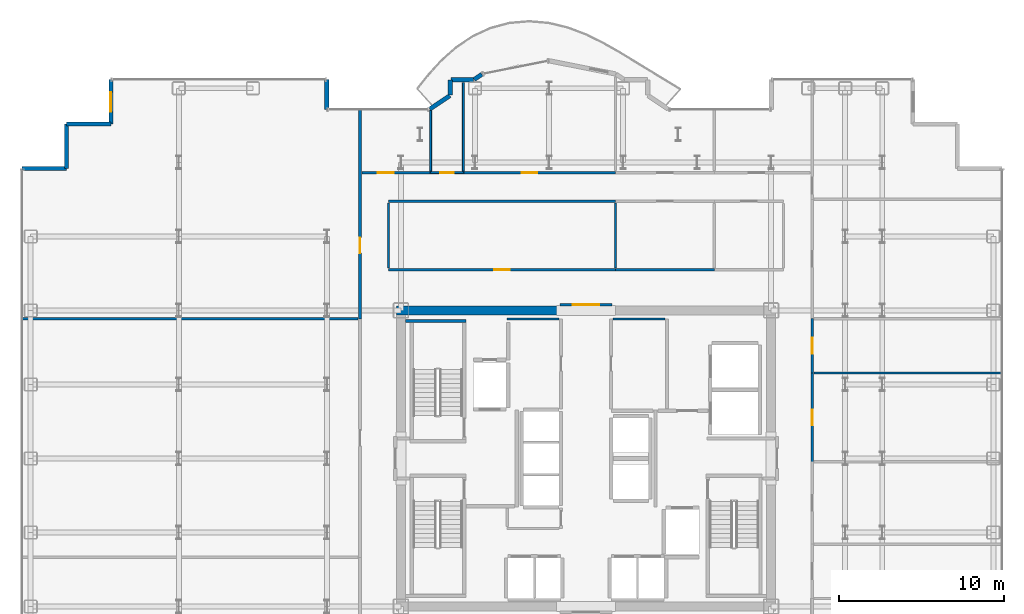
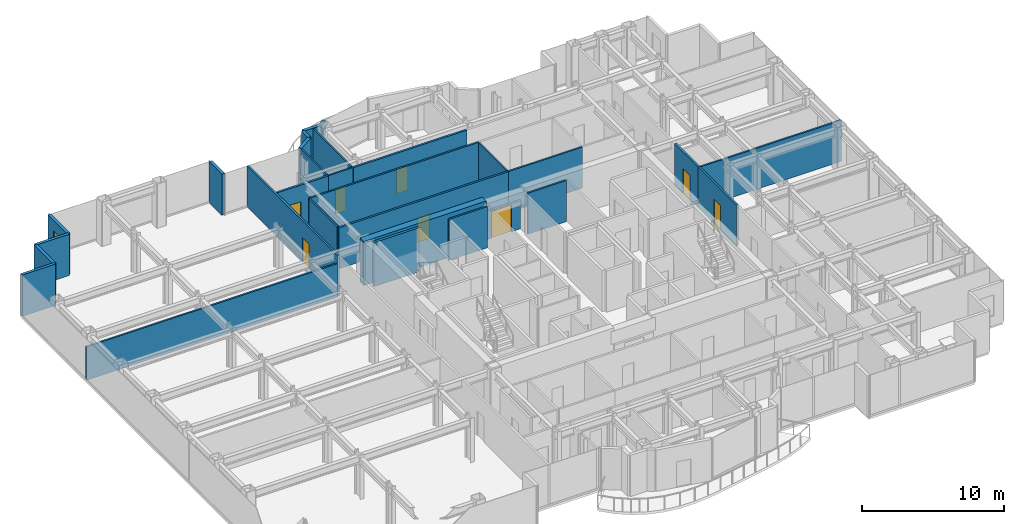
# One storey, part 19 of 22: 29 walls, 8 doors, 1 window, 9 openings.
"""IFC4 building model written with IfcOpenShell, lengths in metres."""

import ifcopenshell
import ifcopenshell.guid

model = None  # the IFC model being written
_history = None  # IfcOwnerHistory: only IFC2X3 demands one
_inside = {}  # id of a spatial element -> (the spatial element, [elements in it])
_under = {}  # id of a project, library or spatial element -> (it, [spatial elements below it])
_declared = {}  # id of a project -> (the project, [libraries it declares])
_typed = {}  # id of a type object -> (the type object, [elements of that type])
_made_of = {}  # id of a material, layer set ... -> (it, [elements and type objects made of it])


def new_model(schema):
    """Start an empty IFC model of exactly this schema.

    Asked for "IFC4X3", IfcOpenShell would pick the latest addendum, in which some entities
    have other attributes; the version numbers below select the first issue.
    IFC2X3 requires an IfcOwnerHistory on every rooted entity: one is made here for all.
    """
    global model, _history
    if schema == "IFC4X3":
        model = ifcopenshell.file(schema_version=(4, 3, 0, 0))
    else:
        model = ifcopenshell.file(schema=schema)
    _inside.clear()
    _under.clear()
    _declared.clear()
    _typed.clear()
    _made_of.clear()
    _history = None
    if model.schema == "IFC2X3":
        org = make("IfcOrganization", Name="unknown")
        user = make(
            "IfcPersonAndOrganization",
            ThePerson=make("IfcPerson", FamilyName="unknown"),
            TheOrganization=org,
        )
        app = make(
            "IfcApplication",
            ApplicationDeveloper=org,
            Version="unknown",
            ApplicationFullName="unknown",
            ApplicationIdentifier="unknown",
        )
        _history = make(
            "IfcOwnerHistory",
            OwningUser=user,
            OwningApplication=app,
            ChangeAction="ADDED",
            CreationDate=0,
        )
    return model


def make(cls, **values):
    """One entity of the class cls with the attributes given. An attribute that is None is left unset."""
    return model.create_entity(
        cls, **{name: value for name, value in values.items() if value is not None}
    )


def rooted(cls, **values):
    """An entity with a GlobalId (a new one), such as an element, a storey or a relation."""
    return make(cls, GlobalId=ifcopenshell.guid.new(), OwnerHistory=_history, **values)


def si_unit(unit_type, name, prefix=None):
    """IfcSIUnit, for example si_unit("LENGTHUNIT", "METRE", prefix="MILLI")."""
    return make("IfcSIUnit", UnitType=unit_type, Prefix=prefix, Name=name)


def assignment(units):
    """IfcUnitAssignment: the units of a project."""
    return None if units is None else make("IfcUnitAssignment", Units=units)


def point(xyz):
    """IfcCartesianPoint."""
    return None if xyz is None else make("IfcCartesianPoint", Coordinates=xyz)


def direction(xyz):
    """IfcDirection."""
    return None if xyz is None else make("IfcDirection", DirectionRatios=xyz)


def frame(location, z_axis=None, x_axis=None):
    """IfcAxis2Placement3D, a coordinate frame: its origin and axes. An axis left out is left unset."""
    return make(
        "IfcAxis2Placement3D",
        Location=point(location),
        Axis=direction(z_axis),
        RefDirection=direction(x_axis),
    )


def frame_2d(location, x_axis=None):
    """IfcAxis2Placement2D, a coordinate frame in the plane: its origin and x axis."""
    return make(
        "IfcAxis2Placement2D", Location=point(location), RefDirection=direction(x_axis)
    )


def origin():
    """The frame at (0, 0, 0) with its axes left unset."""
    return frame((0.0, 0.0, 0.0))


def place(relative_to, where):
    """IfcLocalPlacement: puts the frame where relative to a parent placement (None: the world)."""
    return make(
        "IfcLocalPlacement", PlacementRelTo=relative_to, RelativePlacement=where
    )


def context(
    kind, dimensions, precision=None, world=None, true_north=None, identifier=None
):
    """IfcGeometricRepresentationContext, for example the 3D "Model" context."""
    return make(
        "IfcGeometricRepresentationContext",
        ContextIdentifier=identifier,
        ContextType=kind,
        CoordinateSpaceDimension=dimensions,
        Precision=precision,
        WorldCoordinateSystem=world,
        TrueNorth=true_north,
    )


def subcontext(parent, identifier, kind, view, scale=None):
    """IfcGeometricRepresentationSubContext, for example "Body" below "Model"."""
    return make(
        "IfcGeometricRepresentationSubContext",
        ContextIdentifier=identifier,
        ContextType=kind,
        ParentContext=parent,
        TargetScale=scale,
        TargetView=view,
    )


def project(units=None, contexts=None):
    """IfcProject with its units and contexts."""
    return rooted(
        "IfcProject",
        Name="project",
        RepresentationContexts=contexts,
        UnitsInContext=assignment(units),
    )


def spatial(cls, under=None, at=None, **own):
    """A site, building, storey or space (cls), placed at a placement, below another one or the project."""
    s = rooted(cls, ObjectPlacement=at, **own)
    if under is not None:
        _under.setdefault(under.id(), (under, []))[1].append(s)
    return s


def profile(cls, at=None, kind="AREA", **sizes):
    """A parametric profile (cls). Its sizes go by their IFC names, for example OverallWidth=200.0."""
    return make(cls, ProfileType=kind, Position=at, **sizes)


def rectangle(**sizes):
    """IfcRectangleProfileDef."""
    return profile("IfcRectangleProfileDef", **sizes)


def extrude(swept, where, along, depth):
    """IfcExtrudedAreaSolid: the profile swept, set in the frame where, extruded along a direction by depth."""
    return make(
        "IfcExtrudedAreaSolid",
        SweptArea=swept,
        Position=where,
        ExtrudedDirection=direction(along),
        Depth=depth,
    )


def shape(context_of_items, identifier, shape_type, items):
    """IfcShapeRepresentation: the items that make up one representation, for example the "Body"."""
    return make(
        "IfcShapeRepresentation",
        ContextOfItems=context_of_items,
        RepresentationIdentifier=identifier,
        RepresentationType=shape_type,
        Items=items,
    )


def source(mapping_origin, context_of_items, identifier, shape_type, items):
    """IfcRepresentationMap: a shape defined once, which mapped items show again and again."""
    return make(
        "IfcRepresentationMap",
        MappingOrigin=mapping_origin,
        MappedRepresentation=shape(context_of_items, identifier, shape_type, items),
    )


def transform(
    local_origin,
    x_axis=None,
    y_axis=None,
    z_axis=None,
    scale=None,
    scale2=None,
    scale3=None,
    uniform=True,
):
    """IfcCartesianTransformationOperator3D, or its non-uniform kind. x_axis, y_axis, z_axis: its Axis1, 2, 3."""
    if uniform:
        return make(
            "IfcCartesianTransformationOperator3D",
            Axis1=direction(x_axis),
            Axis2=direction(y_axis),
            LocalOrigin=point(local_origin),
            Scale=scale,
            Axis3=direction(z_axis),
        )
    return make(
        "IfcCartesianTransformationOperator3DnonUniform",
        Axis1=direction(x_axis),
        Axis2=direction(y_axis),
        LocalOrigin=point(local_origin),
        Scale=scale,
        Axis3=direction(z_axis),
        Scale2=scale2,
        Scale3=scale3,
    )


def mapped(mapping_source, mapping_target):
    """IfcMappedItem: shows the shape of a source again, moved by a transform."""
    return make(
        "IfcMappedItem", MappingSource=mapping_source, MappingTarget=mapping_target
    )


def material(Name=None, Category=None):
    """IfcMaterial."""
    return make("IfcMaterial", Name=Name, Category=Category)


def layer(
    of_material, thickness, ventilated=None, Name=None, Category=None, Priority=None
):
    """IfcMaterialLayer: one layer of a wall or slab, of a material (None: an air gap)."""
    return make(
        "IfcMaterialLayer",
        Material=of_material,
        LayerThickness=thickness,
        IsVentilated=ventilated,
        Name=Name,
        Category=Category,
        Priority=Priority,
    )


def layer_set(layers, Name=None):
    """IfcMaterialLayerSet."""
    return make("IfcMaterialLayerSet", MaterialLayers=layers, LayerSetName=Name)


def made_of(thing, what):
    """Note that an element or type object is made of a material, layer set ...; save() writes the relation."""
    if what is not None:
        _made_of.setdefault(what.id(), (what, []))[1].append(thing)
    return thing


def type_object(cls, material=None, **own):
    """A type object (cls), such as IfcWallType, which elements share."""
    return made_of(rooted(cls, **own), material)


def element(
    cls,
    number,
    at=None,
    inside=None,
    cuts=None,
    type_object=None,
    material=None,
    context=None,
    identifier="Body",
    shape_type=None,
    held_by="IfcProductDefinitionShape",
    body=None,
    shapes=None,
    **own,
):
    """One element of the class cls, such as IfcWall. Its Tag is "e" and its number.

    at: its placement. inside: the storey or other place that contains it. cuts: it is an
    opening in that element (IfcRelVoidsElement). A single representation is given by context,
    identifier, shape_type and body (its items); several are given by shapes. held_by: the class
    of the entity that holds the representations. save() writes the other relations.
    """
    e = rooted(cls, Tag="e%d" % number, ObjectPlacement=at, **own)
    if body is not None:
        shapes = [shape(context, identifier, shape_type, body)]
    if shapes is not None:
        e.Representation = make(held_by, Representations=shapes)
    if inside is not None:
        _inside.setdefault(inside.id(), (inside, []))[1].append(e)
    if cuts is not None:
        rooted(
            "IfcRelVoidsElement", RelatingBuildingElement=cuts, RelatedOpeningElement=e
        )
    if type_object is not None:
        _typed.setdefault(type_object.id(), (type_object, []))[1].append(e)
    return made_of(e, material)


def fill(opening, filler):
    """IfcRelFillsElement: the door or window that sits in an opening."""
    return rooted(
        "IfcRelFillsElement",
        RelatingOpeningElement=opening,
        RelatedBuildingElement=filler,
    )


def aggregate(whole, parts):
    """IfcRelAggregates: a whole, such as a stair, and the parts it consists of."""
    return rooted("IfcRelAggregates", RelatingObject=whole, RelatedObjects=parts)


def save(model, path):
    """Write the relations noted so far, then the file.

    IfcRelAggregates (storeys below a building ...), IfcRelContainedInSpatialStructure (elements
    in a storey), IfcRelDefinesByType, IfcRelAssociatesMaterial and IfcRelDeclares: one each for
    every whole, place, type object, material and project.
    """
    for whole, parts in _under.values():
        aggregate(whole, parts)
    for where, things in _inside.values():
        rooted(
            "IfcRelContainedInSpatialStructure",
            RelatedElements=things,
            RelatingStructure=where,
        )
    for kind, things in _typed.values():
        rooted("IfcRelDefinesByType", RelatedObjects=things, RelatingType=kind)
    for what, things in _made_of.values():
        rooted("IfcRelAssociatesMaterial", RelatedObjects=things, RelatingMaterial=what)
    for by, libraries in _declared.values():
        rooted("IfcRelDeclares", RelatingContext=by, RelatedDefinitions=libraries)
    model.write(path)


model = new_model("IFC4")

# Units and contexts
model_context = context("Model", 3, precision=1e-05, world=origin(), true_north=direction((0.0, 1.0)))
body_context = subcontext(model_context, "Body", "Model", "MODEL_VIEW")
ifc_project = project(units=[si_unit("LENGTHUNIT", "METRE"), si_unit("AREAUNIT", "SQUARE_METRE"), si_unit("VOLUMEUNIT", "CUBIC_METRE"), si_unit("PLANEANGLEUNIT", "RADIAN"), si_unit("MASSUNIT", "GRAM", prefix="KILO")], contexts=[model_context])

# Site, building, storey
site_placement = place(None, origin())
site = spatial("IfcSite", under=ifc_project, at=site_placement, CompositionType="ELEMENT")
building_placement = place(site_placement, origin())
building = spatial("IfcBuilding", under=site, at=building_placement, Name="Nefas-Gora Pilgrimage Tower", CompositionType="ELEMENT")
storey_placement = place(building_placement, frame((0.0, 0.0, 179.199951171875)))
storey = spatial("IfcBuildingStorey", under=building, at=storey_placement, Name="L44", CompositionType="ELEMENT", Elevation=179.199951171875)

# Walls
ifc_material_1 = material(Name="Concrete C60/75", Category="concrete")
ifc_layer_1 = layer(ifc_material_1, 0.550048828125)
ifc_layer_set_1 = layer_set([ifc_layer_1], Name="Concrete C60/75")
wall_type_1 = type_object("IfcWallType", Name="SW-CORE-550", PredefinedType="SHEAR", material=ifc_layer_set_1)
shared_shape_1 = source(origin(), body_context, "Body", "SweptSolid", [
    extrude(rectangle(XDim=9.974853515625, YDim=0.550048828125, at=frame_2d((4.9873046875, 0.0))), origin(), (0.0, 0.0, 1.0), 3.800048828125),
])
wall_1_placement = place(storey_placement, frame((-11.52490234375, 9.0, 0.0), z_axis=(0.0, 0.0, 1.0), x_axis=(1.0, 0.0, 0.0)))
element("IfcWall", 1, at=wall_1_placement, inside=storey, type_object=wall_type_1, Name="L44 Core Shear Wall N-West", PredefinedType="SHEAR", context=body_context, shape_type="MappedRepresentation", body=[
    mapped(shared_shape_1, transform((0.0, 0.0, 0.0), x_axis=(1.0, 0.0, 0.0), y_axis=(0.0, 1.0, 0.0), z_axis=(0.0, 0.0, 1.0), scale=1.0)),
])
ifc_material_2 = material(Name="Precast concrete C40/50", Category="concrete")
ifc_layer_2 = layer(ifc_material_2, 0.260009765625)
ifc_layer_set_2 = layer_set([ifc_layer_2], Name="Precast concrete C40/50")
wall_type_2 = type_object("IfcWallType", Name="EW-PORTAL-260", PredefinedType="SOLIDWALL", material=ifc_layer_set_2)
shared_shape_2 = source(origin(), body_context, "Body", "SweptSolid", [
    extrude(rectangle(XDim=1.800048828125, YDim=0.260009765625, at=frame_2d((0.89990234375, 0.0))), origin(), (0.0, 0.0, 1.0), 3.550048828125),
])
wall_2_placement = place(storey_placement, frame((-15.75, 21.219970703125, 0.0), z_axis=(0.0, 0.0, 1.0), x_axis=(0.0, 1.0, 0.0)))
element("IfcWall", 2, at=wall_2_placement, inside=storey, type_object=wall_type_2, Name="L44 Lobe Shoulder Precast Spandrel Pier 20", PredefinedType="SOLIDWALL", context=body_context, shape_type="MappedRepresentation", body=[
    mapped(shared_shape_2, transform((0.0, 0.0, 0.0), x_axis=(1.0, 0.0, 0.0), y_axis=(0.0, 1.0, 0.0), z_axis=(0.0, 0.0, 1.0), scale=1.0)),
])

# Wall, opening, window
ifc_material_3 = material(Name="Precast concrete C45/55", Category="concrete")
ifc_layer_3 = layer(ifc_material_3, 0.239990234375)
ifc_layer_set_3 = layer_set([ifc_layer_3], Name="Precast concrete C45/55")
wall_type_3 = type_object("IfcWallType", Name="EW-SERR-240", PredefinedType="SHEAR", material=ifc_layer_set_3)
shared_shape_3 = source(origin(), body_context, "Body", "SweptSolid", [
    extrude(rectangle(XDim=2.699951171875, YDim=0.239990234375, at=frame_2d((1.35009765625, 0.0))), origin(), (0.0, 0.0, 1.0), 3.550048828125),
])
wall_3_placement = place(storey_placement, frame((-28.8701171875, 23.02001953125, 0.0), z_axis=(0.0, 0.0, 1.0), x_axis=(0.0, -1.0, 0.0)))
wall_3 = element("IfcWall", 3, at=wall_3_placement, inside=storey, type_object=wall_type_3, Name="L44 Serrated Corner Shear Pier Wall 21", PredefinedType="SHEAR", context=body_context, shape_type="MappedRepresentation", body=[
    mapped(shared_shape_3, transform((0.0, 0.0, 0.0), x_axis=(1.0, 0.0, 0.0), y_axis=(0.0, 1.0, 0.0), z_axis=(0.0, 0.0, 1.0), scale=1.0)),
])
opening_1_placement = place(wall_3_placement, frame((0.75, 0.0, 0.85009765625)))
opening_1 = element("IfcOpeningElement", 4, at=opening_1_placement, cuts=wall_3, Name="Opening W-V1", PredefinedType="OPENING", context=body_context, shape_type="SweptSolid", body=[
    extrude(rectangle(XDim=1.199951171875, YDim=1.800048828125, at=frame_2d((0.60009765625, 0.89990234375))), frame((0.0, 0.1298828125, 0.0), z_axis=(0.0, -1.0, 0.0), x_axis=(1.0, 0.0, 0.0)), (0.0, 0.0, 1.0), 0.260009765625),
])
ifc_material_4 = material(Name="Dark ceramic-fritted operable aluminium-glass window", Category="aluminium")
window_type = type_object("IfcWindowType", Name="WIN-VENT-1200x1800", PartitioningType="SINGLE_PANEL", PredefinedType="WINDOW", material=ifc_material_4)
shared_shape_4 = source(origin(), body_context, "Body", "SweptSolid", [
    extrude(rectangle(XDim=1.199951171875, YDim=1.800048828125, at=frame_2d((0.60009765625, 0.89990234375))), frame((0.0, 0.030029296875, 0.0), z_axis=(0.0, -1.0, 0.0), x_axis=(1.0, 0.0, 0.0)), (0.0, 0.0, 1.0), 0.06005859375),
])
window_placement = place(opening_1_placement, origin())
window = element("IfcWindow", 5, at=window_placement, inside=storey, type_object=window_type, Name="L44 Operable Parallel-Outswing Window 21", OverallHeight=1.800048828125, OverallWidth=1.199951171875, PartitioningType="SINGLE_PANEL", PredefinedType="WINDOW", context=body_context, shape_type="MappedRepresentation", body=[
    mapped(shared_shape_4, transform((0.0, 0.0, 0.0), x_axis=(1.0, 0.0, 0.0), y_axis=(0.0, 1.0, 0.0), z_axis=(0.0, 0.0, 1.0), scale=1.0)),
])
fill(opening_1, window)

# Walls
for number, where, z_axis, x_axis, name in (
    (6, (-28.8701171875, 20.320068359375, 0.0), (0.0, 0.0, 1.0), (-1.0, 0.0, 0.0), "L44 Serrated Corner Shear Pier Wall 22"),
    (7, (-31.570068359375, 20.320068359375, 0.0), (0.0, 0.0, 1.0), (0.0, -1.0, 0.0), "L44 Serrated Corner Shear Pier Wall 23"),
    (8, (-31.570068359375, 17.6201171875, 0.0), (0.0, 0.0, 1.0), (-1.0, 0.0, 0.0), "L44 Serrated Corner Shear Pier Wall 24"),
):
    element("IfcWall", number, at=place(storey_placement, frame(where, z_axis=z_axis, x_axis=x_axis)), inside=storey, type_object=wall_type_3, Name=name, PredefinedType="SHEAR", context=body_context, shape_type="MappedRepresentation", body=[
        mapped(shared_shape_3, transform((0.0, 0.0, 0.0), x_axis=(1.0, 0.0, 0.0), y_axis=(0.0, 1.0, 0.0), z_axis=(0.0, 0.0, 1.0), scale=1.0)),
    ])
shared_shape_5 = source(origin(), body_context, "Body", "SweptSolid", [
    extrude(rectangle(XDim=1.468994140625, YDim=0.260009765625, at=frame_2d((0.734375, 0.0))), origin(), (0.0, 0.0, 1.0), 3.550048828125),
])
wall_4_placement = place(storey_placement, frame((-8.273193359375, 22.0517578125, 0.0), z_axis=(0.0, 0.0, 1.0), x_axis=(-0.831461760506, -0.555581983884, 0.0)))
element("IfcWall", 9, at=wall_4_placement, inside=storey, type_object=wall_type_2, Name="L44 Lobe Shoulder Precast Spandrel Pier 19", PredefinedType="SOLIDWALL", context=body_context, shape_type="MappedRepresentation", body=[
    mapped(shared_shape_5, transform((0.0, 0.0, 0.0), x_axis=(1.0, 0.0, 0.0), y_axis=(0.0, 1.0, 0.0), z_axis=(0.0, 0.0, 1.0), scale=1.0)),
])
shared_shape_6 = source(origin(), body_context, "Body", "SweptSolid", [
    extrude(rectangle(XDim=0.896728515625, YDim=0.260009765625, at=frame_2d((0.4482421875, 0.0))), origin(), (0.0, 0.0, 1.0), 3.550048828125),
])
wall_5_placement = place(storey_placement, frame((-8.25, 22.991943359375, 0.0), z_axis=(0.0, 0.0, 1.0), x_axis=(0.0, -1.0, 0.0)))
element("IfcWall", 10, at=wall_5_placement, inside=storey, type_object=wall_type_2, Name="L44 Lobe Shoulder Precast Spandrel Pier 18", PredefinedType="SOLIDWALL", context=body_context, shape_type="MappedRepresentation", body=[
    mapped(shared_shape_6, transform((0.0, 0.0, 0.0), x_axis=(1.0, 0.0, 0.0), y_axis=(0.0, 1.0, 0.0), z_axis=(0.0, 0.0, 1.0), scale=1.0)),
])
shared_shape_7 = source(origin(), body_context, "Body", "SweptSolid", [
    extrude(rectangle(XDim=1.369873046875, YDim=0.260009765625, at=frame_2d((0.68505859375, 0.0))), origin(), (0.0, 0.0, 1.0), 3.550048828125),
])
wall_6_placement = place(storey_placement, frame((-6.85205078125, 23.02001953125, 0.0), z_axis=(0.0, 0.0, 1.0), x_axis=(-1.0, 0.0, 0.0)))
element("IfcWall", 11, at=wall_6_placement, inside=storey, type_object=wall_type_2, Name="L44 Lobe Shoulder Precast Spandrel Pier 17", PredefinedType="SOLIDWALL", context=body_context, shape_type="MappedRepresentation", body=[
    mapped(shared_shape_7, transform((0.0, 0.0, 0.0), x_axis=(1.0, 0.0, 0.0), y_axis=(0.0, 1.0, 0.0), z_axis=(0.0, 0.0, 1.0), scale=1.0)),
])
shared_shape_8 = source(origin(), body_context, "Body", "SweptSolid", [
    extrude(rectangle(XDim=0.5654296875, YDim=0.260009765625, at=frame_2d((0.28271484375, 0.0))), origin(), (0.0, 0.0, 1.0), 3.550048828125),
])
wall_7_placement = place(storey_placement, frame((-6.33056640625, 23.349609375, 0.0), z_axis=(0.0, 0.0, 1.0), x_axis=(-0.831651492666, -0.555297933317, 0.0)))
element("IfcWall", 12, at=wall_7_placement, inside=storey, type_object=wall_type_2, Name="L44 Lobe Shoulder Precast Spandrel Pier 16", PredefinedType="SOLIDWALL", context=body_context, shape_type="MappedRepresentation", body=[
    mapped(shared_shape_8, transform((0.0, 0.0, 0.0), x_axis=(1.0, 0.0, 0.0), y_axis=(0.0, 1.0, 0.0), z_axis=(0.0, 0.0, 1.0), scale=1.0)),
])
ifc_material_5 = material(Name="Concrete C45/55", Category="concrete")
ifc_layer_4 = layer(ifc_material_5, 0.199951171875)
ifc_layer_set_4 = layer_set([ifc_layer_4], Name="Concrete C45/55")
wall_type_4 = type_object("IfcWallType", Name="IW-STAIR-200", PredefinedType="SOLIDWALL", material=ifc_layer_set_4)
shared_shape_9 = source(origin(), body_context, "Body", "SweptSolid", [
    extrude(rectangle(XDim=3.679931640625, YDim=0.199951171875, at=frame_2d((1.83984375, 0.0))), origin(), (0.0, 0.0, 1.0), 3.800048828125),
])
wall_8_placement = place(storey_placement, frame((-7.300048828125, 8.35009765625, 0.0), z_axis=(0.0, 0.0, 1.0), x_axis=(-1.0, 0.0, 0.0)))
element("IfcWall", 13, at=wall_8_placement, inside=storey, type_object=wall_type_4, Name="L44 Stairwell Shear Wall ST-01-far", PredefinedType="SOLIDWALL", context=body_context, shape_type="MappedRepresentation", body=[
    mapped(shared_shape_9, transform((0.0, 0.0, 0.0), x_axis=(1.0, 0.0, 0.0), y_axis=(0.0, 1.0, 0.0), z_axis=(0.0, 0.0, 1.0), scale=1.0)),
])
ifc_material_6 = material(Name="Gypsum twin-stud partition")
ifc_layer_5 = layer(ifc_material_6, 0.139892578125)
ifc_layer_set_5 = layer_set([ifc_layer_5], Name="Gypsum twin-stud partition")
wall_type_5 = type_object("IfcWallType", Name="IW-UNIT-140", PredefinedType="PARTITIONING", material=ifc_layer_set_5)
shared_shape_10 = source(origin(), body_context, "Body", "SweptSolid", [
    extrude(rectangle(XDim=3.150146484375, YDim=0.139892578125, at=frame_2d((1.5751953125, 0.0))), origin(), (0.0, 0.0, 1.0), 3.53515625),
])
for number, where, z_axis, x_axis, name in (
    (14, (-4.7900390625, 8.47998046875, 0.0), (0.0, 0.0, 1.0), (1.0, 0.0, 0.0), "L44 Housekeeping and Linen Store Partition Wall 19"),
    (15, (1.639892578125, 8.47998046875, 0.0), (0.0, 0.0, 1.0), (1.0, 0.0, 0.0), "L44 Freed Bank-1 Amenity Supply Store Partition Wall 24"),
):
    element("IfcWall", number, at=place(storey_placement, frame(where, z_axis=z_axis, x_axis=x_axis)), inside=storey, type_object=wall_type_5, Name=name, PredefinedType="PARTITIONING", context=body_context, shape_type="MappedRepresentation", body=[
        mapped(shared_shape_10, transform((0.0, 0.0, 0.0), x_axis=(1.0, 0.0, 0.0), y_axis=(0.0, 1.0, 0.0), z_axis=(0.0, 0.0, 1.0), scale=1.0)),
    ])

# Wall, opening, door
ifc_material_7 = material(Name="Moisture-resistant fire-rated gypsum partition")
ifc_layer_6 = layer(ifc_material_7, 0.1201171875)
ifc_layer_set_6 = layer_set([ifc_layer_6], Name="Moisture-resistant fire-rated gypsum partition")
wall_type_6 = type_object("IfcWallType", Name="IW-WET-120", PredefinedType="PLUMBINGWALL", material=ifc_layer_set_6)
shared_shape_11 = source(origin(), body_context, "Body", "SweptSolid", [
    extrude(rectangle(XDim=2.02001953125, YDim=0.1201171875, at=frame_2d((1.010009765625, 0.0))), origin(), (0.0, 0.0, 1.0), 3.53515625),
])
wall_9_placement = place(storey_placement, frame((-9.4599609375, 17.3701171875, 0.0), z_axis=(0.0, 0.0, 1.0), x_axis=(1.0, 0.0, 0.0)))
wall_9 = element("IfcWall", 16, at=wall_9_placement, inside=storey, type_object=wall_type_6, Name="L44 Accessible Unisex WC Partition Wall 25", PredefinedType="PLUMBINGWALL", context=body_context, shape_type="MappedRepresentation", body=[
    mapped(shared_shape_11, transform((0.0, 0.0, 0.0), x_axis=(1.0, 0.0, 0.0), y_axis=(0.0, 1.0, 0.0), z_axis=(0.0, 0.0, 1.0), scale=1.0)),
])
opening_2_placement = place(wall_9_placement, frame((0.5849609375, 0.0, 0.0)))
opening_2 = element("IfcOpeningElement", 17, at=opening_2_placement, cuts=wall_9, Name="Opening ID-BT1", PredefinedType="OPENING", context=body_context, shape_type="SweptSolid", body=[
    extrude(rectangle(XDim=0.85009765625, YDim=2.10009765625, at=frame_2d((0.425048828125, 1.050048828125))), frame((0.0, 0.070068359375, 0.0), z_axis=(0.0, -1.0, 0.0), x_axis=(1.0, 0.0, 0.0)), (0.0, 0.0, 1.0), 0.14013671875),
])
ifc_material_8 = material(Name="Moisture-resistant fire-rated timber door", Category="wood")
door_type_1 = type_object("IfcDoorType", Name="DR-INT-BATH-850", OperationType="NOTDEFINED", PredefinedType="DOOR", material=ifc_material_8)
shared_shape_12 = source(origin(), body_context, "Body", "SweptSolid", [
    extrude(rectangle(XDim=0.85009765625, YDim=2.10009765625, at=frame_2d((0.425048828125, 1.050048828125))), frame((0.0, 0.02490234375, 0.0), z_axis=(0.0, -1.0, 0.0), x_axis=(1.0, 0.0, 0.0)), (0.0, 0.0, 1.0), 0.050048828125),
])
door_1_placement = place(opening_2_placement, origin())
door_1 = element("IfcDoor", 18, at=door_1_placement, inside=storey, type_object=door_type_1, Name="L44 Accessible Unisex WC Door 10", OperationType="SINGLE_SWING_LEFT", OverallHeight=2.10009765625, OverallWidth=0.85009765625, PredefinedType="DOOR", context=body_context, shape_type="MappedRepresentation", body=[
    mapped(shared_shape_12, transform((0.0, 0.0, 0.0), x_axis=(1.0, 0.0, 0.0), y_axis=(0.0, 1.0, 0.0), z_axis=(0.0, 0.0, 1.0), scale=1.0)),
])
fill(opening_2, door_1)

ifc_material_9 = material(Name="Gypsum acoustic stud partition")
ifc_layer_7 = layer(ifc_material_9, 0.159912109375)
ifc_layer_set_7 = layer_set([ifc_layer_7], Name="Gypsum acoustic stud partition")
wall_type_7 = type_object("IfcWallType", Name="IW-CORR-160", PredefinedType="PARTITIONING", material=ifc_layer_set_7)
shared_shape_13 = source(origin(), body_context, "Body", "SweptSolid", [
    extrude(rectangle(XDim=12.75244140625, YDim=0.159912109375, at=frame_2d((6.376220703125, 0.0))), origin(), (0.0, 0.0, 1.0), 3.53515625),
])
wall_10_placement = place(storey_placement, frame((-13.739990234375, 8.487548828125, 0.0), z_axis=(0.0, 0.0, 1.0), x_axis=(0.0, 1.0, 0.0)))
wall_10 = element("IfcWall", 19, at=wall_10_placement, inside=storey, type_object=wall_type_7, Name="L44 Pilgrim Tea and Beverage Pantry Partition Wall 30", PredefinedType="PARTITIONING", context=body_context, shape_type="MappedRepresentation", body=[
    mapped(shared_shape_13, transform((0.0, 0.0, 0.0), x_axis=(1.0, 0.0, 0.0), y_axis=(0.0, 1.0, 0.0), z_axis=(0.0, 0.0, 1.0), scale=1.0)),
])
opening_3_placement = place(wall_10_placement, frame((3.986328125, 0.0, 0.0)))
opening_3 = element("IfcOpeningElement", 20, at=opening_3_placement, cuts=wall_10, Name="Opening ID-GR1", PredefinedType="OPENING", context=body_context, shape_type="SweptSolid", body=[
    extrude(rectangle(XDim=0.949951171875, YDim=2.10009765625, at=frame_2d((0.47509765625, 1.050048828125))), frame((0.0, 0.08984375, 0.0), z_axis=(0.0, -1.0, 0.0), x_axis=(1.0, 0.0, 0.0)), (0.0, 0.0, 1.0), 0.179931640625),
])
ifc_material_10 = material(Name="Solid core oak fire-rated guest entrance door")
door_type_2 = type_object("IfcDoorType", Name="DR-INT-GUEST-950", OperationType="NOTDEFINED", PredefinedType="DOOR", material=ifc_material_10)
shared_shape_14 = source(origin(), body_context, "Body", "SweptSolid", [
    extrude(rectangle(XDim=0.949951171875, YDim=2.10009765625, at=frame_2d((0.47509765625, 1.050048828125))), frame((0.0, 0.02490234375, 0.0), z_axis=(0.0, -1.0, 0.0), x_axis=(1.0, 0.0, 0.0)), (0.0, 0.0, 1.0), 0.050048828125),
])
door_2_placement = place(opening_3_placement, origin())
door_2 = element("IfcDoor", 21, at=door_2_placement, inside=storey, type_object=door_type_2, Name="L44 Pilgrim Tea and Beverage Pantry Door 12", OperationType="SINGLE_SWING_LEFT", OverallHeight=2.10009765625, OverallWidth=0.949951171875, PredefinedType="DOOR", context=body_context, shape_type="MappedRepresentation", body=[
    mapped(shared_shape_14, transform((0.0, 0.0, 0.0), x_axis=(1.0, 0.0, 0.0), y_axis=(0.0, 1.0, 0.0), z_axis=(0.0, 0.0, 1.0), scale=1.0)),
])
fill(opening_3, door_2)

shared_shape_15 = source(origin(), body_context, "Body", "SweptSolid", [
    extrude(rectangle(XDim=3.309814453125, YDim=0.159912109375, at=frame_2d((1.65478515625, 0.0))), origin(), (0.0, 0.0, 1.0), 3.53515625),
])
wall_11_placement = place(storey_placement, frame((13.739990234375, 5.195068359375, 0.0), z_axis=(0.0, 0.0, 1.0), x_axis=(0.0, 1.0, 0.0)))
wall_11 = element("IfcWall", 22, at=wall_11_placement, inside=storey, type_object=wall_type_7, Name="L44 Scripture Reading Study Partition Wall 43", PredefinedType="PARTITIONING", context=body_context, shape_type="MappedRepresentation", body=[
    mapped(shared_shape_15, transform((0.0, 0.0, 0.0), x_axis=(1.0, 0.0, 0.0), y_axis=(0.0, 1.0, 0.0), z_axis=(0.0, 0.0, 1.0), scale=1.0)),
])
opening_4_placement = place(wall_11_placement, frame((1.179931640625, 0.0, 0.0)))
opening_4 = element("IfcOpeningElement", 23, at=opening_4_placement, cuts=wall_11, Name="Opening ID-GR1", PredefinedType="OPENING", context=body_context, shape_type="SweptSolid", body=[
    extrude(rectangle(XDim=0.949951171875, YDim=2.10009765625, at=frame_2d((0.47509765625, 1.050048828125))), frame((0.0, 0.08984375, 0.0), z_axis=(0.0, -1.0, 0.0), x_axis=(1.0, 0.0, 0.0)), (0.0, 0.0, 1.0), 0.179931640625),
])
door_3_placement = place(opening_4_placement, origin())
door_3 = element("IfcDoor", 24, at=door_3_placement, inside=storey, type_object=door_type_2, Name="L44 Scripture Reading Study Door 19", OperationType="SINGLE_SWING_RIGHT", OverallHeight=2.10009765625, OverallWidth=0.949951171875, PredefinedType="DOOR", context=body_context, shape_type="MappedRepresentation", body=[
    mapped(shared_shape_14, transform((0.0, 0.0, 0.0), x_axis=(1.0, 0.0, 0.0), y_axis=(0.0, 1.0, 0.0), z_axis=(0.0, 0.0, 1.0), scale=1.0)),
])
fill(opening_4, door_3)

shared_shape_16 = source(origin(), body_context, "Body", "SweptSolid", [
    extrude(rectangle(XDim=3.16015625, YDim=0.159912109375, at=frame_2d((1.580078125, 0.0))), origin(), (0.0, 0.0, 1.0), 2.425048828125),
])
wall_12_placement = place(storey_placement, frame((-1.580078125, 9.35009765625, 0.0), z_axis=(0.0, 0.0, 1.0), x_axis=(1.0, 0.0, 0.0)))
wall_12 = element("IfcWall", 25, at=wall_12_placement, inside=storey, type_object=wall_type_7, Name="L44 Central Lift Lobby North Portal Wall 15", PredefinedType="PARTITIONING", context=body_context, shape_type="MappedRepresentation", body=[
    mapped(shared_shape_16, transform((0.0, 0.0, 0.0), x_axis=(1.0, 0.0, 0.0), y_axis=(0.0, 1.0, 0.0), z_axis=(0.0, 0.0, 1.0), scale=1.0)),
])
opening_5_placement = place(wall_12_placement, frame((0.780029296875, 0.0, 0.0)))
opening_5 = element("IfcOpeningElement", 26, at=opening_5_placement, cuts=wall_12, Name="Opening ID-HL1", PredefinedType="OPENING", context=body_context, shape_type="SweptSolid", body=[
    extrude(rectangle(XDim=1.60009765625, YDim=2.300048828125, at=frame_2d((0.800048828125, 1.14990234375))), frame((0.0, 0.08984375, 0.0), z_axis=(0.0, -1.0, 0.0), x_axis=(1.0, 0.0, 0.0)), (0.0, 0.0, 1.0), 0.179931640625),
])
ifc_material_11 = material(Name="Double acoustic timber assembly hall door", Category="wood")
door_type_3 = type_object("IfcDoorType", Name="DR-INT-HALL-1600", OperationType="DOUBLE_DOOR_SINGLE_SWING", PredefinedType="DOOR", material=ifc_material_11)
shared_shape_17 = source(origin(), body_context, "Body", "SweptSolid", [
    extrude(rectangle(XDim=1.60009765625, YDim=2.300048828125, at=frame_2d((0.800048828125, 1.14990234375))), frame((0.0, 0.02490234375, 0.0), z_axis=(0.0, -1.0, 0.0), x_axis=(1.0, 0.0, 0.0)), (0.0, 0.0, 1.0), 0.050048828125),
])
door_4_placement = place(opening_5_placement, origin())
door_4 = element("IfcDoor", 27, at=door_4_placement, inside=storey, type_object=door_type_3, Name="L44 Central Lift Lobby North Portal Door 5", OperationType="DOUBLE_DOOR_SINGLE_SWING", OverallHeight=2.300048828125, OverallWidth=1.60009765625, PredefinedType="DOOR", context=body_context, shape_type="MappedRepresentation", body=[
    mapped(shared_shape_17, transform((0.0, 0.0, 0.0), x_axis=(1.0, 0.0, 0.0), y_axis=(0.0, 1.0, 0.0), z_axis=(0.0, 0.0, 1.0), scale=1.0)),
])
fill(opening_5, door_4)

# Walls
shared_shape_18 = source(origin(), body_context, "Body", "SweptSolid", [
    extrude(rectangle(XDim=20.429931640625, YDim=0.139892578125, at=frame_2d((10.21484375, 0.0))), origin(), (0.0, 0.0, 1.0), 2.875),
])
wall_13_placement = place(storey_placement, frame((-34.2900390625, 8.49755859375, 0.0), z_axis=(0.0, 0.0, 1.0), x_axis=(1.0, 0.0, 0.0)))
element("IfcWall", 28, at=wall_13_placement, inside=storey, type_object=wall_type_5, Name="L44 Pilgrim Tea and Beverage Pantry Partition Wall 31", PredefinedType="PARTITIONING", context=body_context, shape_type="MappedRepresentation", body=[
    mapped(shared_shape_18, transform((0.0, 0.0, 0.0), x_axis=(1.0, 0.0, 0.0), y_axis=(0.0, 1.0, 0.0), z_axis=(0.0, 0.0, 1.0), scale=1.0)),
])
shared_shape_19 = source(origin(), body_context, "Body", "SweptSolid", [
    extrude(rectangle(XDim=5.380126953125, YDim=0.1201171875, at=frame_2d((2.68994140625, 0.0))), origin(), (0.0, 0.0, 1.0), 3.53515625),
])
wall_14_placement = place(storey_placement, frame((-7.449951171875, 17.469970703125, 0.0), z_axis=(0.0, 0.0, 1.0), x_axis=(0.0, 1.0, 0.0)))
element("IfcWall", 29, at=wall_14_placement, inside=storey, type_object=wall_type_6, Name="L44 Accessible Unisex WC Partition Wall 26", PredefinedType="PLUMBINGWALL", context=body_context, shape_type="MappedRepresentation", body=[
    mapped(shared_shape_19, transform((0.0, 0.0, 0.0), x_axis=(1.0, 0.0, 0.0), y_axis=(0.0, 1.0, 0.0), z_axis=(0.0, 0.0, 1.0), scale=1.0)),
])
shared_shape_20 = source(origin(), body_context, "Body", "SweptSolid", [
    extrude(rectangle(XDim=3.686767578125, YDim=0.1201171875, at=frame_2d((1.84326171875, 0.0))), origin(), (0.0, 0.0, 1.0), 3.53515625),
])
wall_15_placement = place(storey_placement, frame((-9.449951171875, 17.469970703125, 0.0), z_axis=(0.0, 0.0, 1.0), x_axis=(0.0, 1.0, 0.0)))
element("IfcWall", 30, at=wall_15_placement, inside=storey, type_object=wall_type_6, Name="L44 Accessible Unisex WC Partition Wall 27", PredefinedType="PLUMBINGWALL", context=body_context, shape_type="MappedRepresentation", body=[
    mapped(shared_shape_20, transform((0.0, 0.0, 0.0), x_axis=(1.0, 0.0, 0.0), y_axis=(0.0, 1.0, 0.0), z_axis=(0.0, 0.0, 1.0), scale=1.0)),
])
shared_shape_21 = source(origin(), body_context, "Body", "SweptSolid", [
    extrude(rectangle(XDim=11.429931640625, YDim=0.139892578125, at=frame_2d((5.71484375, 0.0))), origin(), (0.0, 0.0, 1.0), 3.53515625),
])
wall_16_placement = place(storey_placement, frame((13.860107421875, 5.195068359375, 0.0), z_axis=(0.0, 0.0, 1.0), x_axis=(1.0, 0.0, 0.0)))
element("IfcWall", 31, at=wall_16_placement, inside=storey, type_object=wall_type_5, Name="L44 Pilgrim Contemplative Lounge Partition Wall 42", PredefinedType="PARTITIONING", context=body_context, shape_type="MappedRepresentation", body=[
    mapped(shared_shape_21, transform((0.0, 0.0, 0.0), x_axis=(1.0, 0.0, 0.0), y_axis=(0.0, 1.0, 0.0), z_axis=(0.0, 0.0, 1.0), scale=1.0)),
])
shared_shape_22 = source(origin(), body_context, "Body", "SweptSolid", [
    extrude(rectangle(XDim=3.929931640625, YDim=0.139892578125, at=frame_2d((1.96484375, 0.0))), origin(), (0.0, 0.0, 1.0), 3.53515625),
])
for number, where, z_axis, x_axis, name in (
    (32, (-12.0, 11.590087890625, 0.0), (0.0, 0.0, 1.0), (0.0, 1.0, 0.0), "L44 Pilgrim Contemplative Lounge Partition Wall 50"),
    (33, (1.794921875, 11.590087890625, 0.0), (0.0, 0.0, 1.0), (0.0, 1.0, 0.0), "L44 Pilgrim Contemplative Lounge Partition Wall 51"),
):
    element("IfcWall", number, at=place(storey_placement, frame(where, z_axis=z_axis, x_axis=x_axis)), inside=storey, type_object=wall_type_5, Name=name, PredefinedType="PARTITIONING", context=body_context, shape_type="MappedRepresentation", body=[
        mapped(shared_shape_22, transform((0.0, 0.0, 0.0), x_axis=(1.0, 0.0, 0.0), y_axis=(0.0, 1.0, 0.0), z_axis=(0.0, 0.0, 1.0), scale=1.0)),
    ])

# Wall, opening, door
shared_shape_23 = source(origin(), body_context, "Body", "SweptSolid", [
    extrude(rectangle(XDim=4.16015625, YDim=0.159912109375, at=frame_2d((2.080078125, 0.0))), origin(), (0.0, 0.0, 1.0), 3.53515625),
])
wall_17_placement = place(storey_placement, frame((-13.6201171875, 17.3701171875, 0.0), z_axis=(0.0, 0.0, 1.0), x_axis=(1.0, 0.0, 0.0)))
wall_17 = element("IfcWall", 34, at=wall_17_placement, inside=storey, type_object=wall_type_7, Name="L44 Pilgrim Contemplative Lounge Partition Wall 54", PredefinedType="PARTITIONING", context=body_context, shape_type="MappedRepresentation", body=[
    mapped(shared_shape_23, transform((0.0, 0.0, 0.0), x_axis=(1.0, 0.0, 0.0), y_axis=(0.0, 1.0, 0.0), z_axis=(0.0, 0.0, 1.0), scale=1.0)),
])
opening_6_placement = place(wall_17_placement, frame((0.968994140625, 0.0, 0.0)))
opening_6 = element("IfcOpeningElement", 35, at=opening_6_placement, cuts=wall_17, Name="Opening ID-GR1", PredefinedType="OPENING", context=body_context, shape_type="SweptSolid", body=[
    extrude(rectangle(XDim=0.949951171875, YDim=2.10009765625, at=frame_2d((0.47509765625, 1.050048828125))), frame((0.0, 0.08984375, 0.0), z_axis=(0.0, -1.0, 0.0), x_axis=(1.0, 0.0, 0.0)), (0.0, 0.0, 1.0), 0.179931640625),
])
door_5_placement = place(opening_6_placement, origin())
door_5 = element("IfcDoor", 36, at=door_5_placement, inside=storey, type_object=door_type_2, Name="L44 Pilgrim Contemplative Lounge Door 24", OperationType="SINGLE_SWING_LEFT", OverallHeight=2.10009765625, OverallWidth=0.949951171875, PredefinedType="DOOR", context=body_context, shape_type="MappedRepresentation", body=[
    mapped(shared_shape_14, transform((0.0, 0.0, 0.0), x_axis=(1.0, 0.0, 0.0), y_axis=(0.0, 1.0, 0.0), z_axis=(0.0, 0.0, 1.0), scale=1.0)),
])
fill(opening_6, door_5)

shared_shape_24 = source(origin(), body_context, "Body", "SweptSolid", [
    extrude(rectangle(XDim=5.41015625, YDim=0.159912109375, at=frame_2d((2.705078125, 0.0))), origin(), (0.0, 0.0, 1.0), 3.53515625),
])
wall_18_placement = place(storey_placement, frame((13.739990234375, -0.205078125, 0.0), z_axis=(0.0, 0.0, 1.0), x_axis=(0.0, 1.0, 0.0)))
wall_18 = element("IfcWall", 37, at=wall_18_placement, inside=storey, type_object=wall_type_7, Name="L44 Pilgrim Contemplative Lounge Partition Wall 41", PredefinedType="PARTITIONING", context=body_context, shape_type="MappedRepresentation", body=[
    mapped(shared_shape_24, transform((0.0, 0.0, 0.0), x_axis=(1.0, 0.0, 0.0), y_axis=(0.0, 1.0, 0.0), z_axis=(0.0, 0.0, 1.0), scale=1.0)),
])
opening_7_placement = place(wall_18_placement, frame((2.22998046875, 0.0, 0.0)))
opening_7 = element("IfcOpeningElement", 38, at=opening_7_placement, cuts=wall_18, Name="Opening ID-GR1", PredefinedType="OPENING", context=body_context, shape_type="SweptSolid", body=[
    extrude(rectangle(XDim=0.949951171875, YDim=2.10009765625, at=frame_2d((0.47509765625, 1.050048828125))), frame((0.0, 0.08984375, 0.0), z_axis=(0.0, -1.0, 0.0), x_axis=(1.0, 0.0, 0.0)), (0.0, 0.0, 1.0), 0.179931640625),
])
door_6_placement = place(opening_7_placement, origin())
door_6 = element("IfcDoor", 39, at=door_6_placement, inside=storey, type_object=door_type_2, Name="L44 Pilgrim Contemplative Lounge Door 18", OperationType="SINGLE_SWING_LEFT", OverallHeight=2.10009765625, OverallWidth=0.949951171875, PredefinedType="DOOR", context=body_context, shape_type="MappedRepresentation", body=[
    mapped(shared_shape_14, transform((0.0, 0.0, 0.0), x_axis=(1.0, 0.0, 0.0), y_axis=(0.0, 1.0, 0.0), z_axis=(0.0, 0.0, 1.0), scale=1.0)),
])
fill(opening_7, door_6)

shared_shape_25 = source(origin(), body_context, "Body", "SweptSolid", [
    extrude(rectangle(XDim=13.81494140625, YDim=0.159912109375, at=frame_2d((6.907470703125, 0.0))), origin(), (0.0, 0.0, 1.0), 3.53515625),
])
wall_19_placement = place(storey_placement, frame((-12.010009765625, 11.469970703125, 0.0), z_axis=(0.0, 0.0, 1.0), x_axis=(1.0, 0.0, 0.0)))
wall_19 = element("IfcWall", 40, at=wall_19_placement, inside=storey, type_object=wall_type_7, Name="L44 Pilgrim Contemplative Lounge Partition Wall 48", PredefinedType="PARTITIONING", context=body_context, shape_type="MappedRepresentation", body=[
    mapped(shared_shape_25, transform((0.0, 0.0, 0.0), x_axis=(1.0, 0.0, 0.0), y_axis=(0.0, 1.0, 0.0), z_axis=(0.0, 0.0, 1.0), scale=1.0)),
])
opening_8_placement = place(wall_19_placement, frame((6.4326171875, 0.0, 0.0)))
opening_8 = element("IfcOpeningElement", 41, at=opening_8_placement, cuts=wall_19, Name="Opening ID-GR1", PredefinedType="OPENING", context=body_context, shape_type="SweptSolid", body=[
    extrude(rectangle(XDim=0.949951171875, YDim=2.10009765625, at=frame_2d((0.47509765625, 1.050048828125))), frame((0.0, 0.08984375, 0.0), z_axis=(0.0, -1.0, 0.0), x_axis=(1.0, 0.0, 0.0)), (0.0, 0.0, 1.0), 0.179931640625),
])
door_7_placement = place(opening_8_placement, origin())
door_7 = element("IfcDoor", 42, at=door_7_placement, inside=storey, type_object=door_type_2, Name="L44 Pilgrim Contemplative Lounge Door 22", OperationType="SINGLE_SWING_LEFT", OverallHeight=2.10009765625, OverallWidth=0.949951171875, PredefinedType="DOOR", context=body_context, shape_type="MappedRepresentation", body=[
    mapped(shared_shape_14, transform((0.0, 0.0, 0.0), x_axis=(1.0, 0.0, 0.0), y_axis=(0.0, 1.0, 0.0), z_axis=(0.0, 0.0, 1.0), scale=1.0)),
])
fill(opening_8, door_7)

# Wall
shared_shape_26 = source(origin(), body_context, "Body", "SweptSolid", [
    extrude(rectangle(XDim=13.81494140625, YDim=0.139892578125, at=frame_2d((6.907470703125, 0.0))), origin(), (0.0, 0.0, 1.0), 3.53515625),
])
wall_20_placement = place(storey_placement, frame((-12.010009765625, 15.6298828125, 0.0), z_axis=(0.0, 0.0, 1.0), x_axis=(1.0, 0.0, 0.0)))
element("IfcWall", 43, at=wall_20_placement, inside=storey, type_object=wall_type_5, Name="L44 Pilgrim Contemplative Lounge Partition Wall 49", PredefinedType="PARTITIONING", context=body_context, shape_type="MappedRepresentation", body=[
    mapped(shared_shape_26, transform((0.0, 0.0, 0.0), x_axis=(1.0, 0.0, 0.0), y_axis=(0.0, 1.0, 0.0), z_axis=(0.0, 0.0, 1.0), scale=1.0)),
])

# Wall, opening, door
shared_shape_27 = source(origin(), body_context, "Body", "SweptSolid", [
    extrude(rectangle(XDim=9.244873046875, YDim=0.159912109375, at=frame_2d((4.62255859375, 0.0))), origin(), (0.0, 0.0, 1.0), 3.53515625),
])
wall_21_placement = place(storey_placement, frame((-7.43994140625, 17.3701171875, 0.0), z_axis=(0.0, 0.0, 1.0), x_axis=(1.0, 0.0, 0.0)))
wall_21 = element("IfcWall", 44, at=wall_21_placement, inside=storey, type_object=wall_type_7, Name="L44 Pilgrim Contemplative Lounge Partition Wall 52", PredefinedType="PARTITIONING", context=body_context, shape_type="MappedRepresentation", body=[
    mapped(shared_shape_27, transform((0.0, 0.0, 0.0), x_axis=(1.0, 0.0, 0.0), y_axis=(0.0, 1.0, 0.0), z_axis=(0.0, 0.0, 1.0), scale=1.0)),
])
opening_9_placement = place(wall_21_placement, frame((3.52880859375, 0.0, 0.0)))
opening_9 = element("IfcOpeningElement", 45, at=opening_9_placement, cuts=wall_21, Name="Opening ID-GR1", PredefinedType="OPENING", context=body_context, shape_type="SweptSolid", body=[
    extrude(rectangle(XDim=0.949951171875, YDim=2.10009765625, at=frame_2d((0.47509765625, 1.050048828125))), frame((0.0, 0.08984375, 0.0), z_axis=(0.0, -1.0, 0.0), x_axis=(1.0, 0.0, 0.0)), (0.0, 0.0, 1.0), 0.179931640625),
])
door_8_placement = place(opening_9_placement, origin())
door_8 = element("IfcDoor", 46, at=door_8_placement, inside=storey, type_object=door_type_2, Name="L44 Pilgrim Contemplative Lounge Door 23", OperationType="SINGLE_SWING_RIGHT", OverallHeight=2.10009765625, OverallWidth=0.949951171875, PredefinedType="DOOR", context=body_context, shape_type="MappedRepresentation", body=[
    mapped(shared_shape_14, transform((0.0, 0.0, 0.0), x_axis=(1.0, 0.0, 0.0), y_axis=(0.0, 1.0, 0.0), z_axis=(0.0, 0.0, 1.0), scale=1.0)),
])
fill(opening_9, door_8)

# Wall
shared_shape_28 = source(origin(), body_context, "Body", "SweptSolid", [
    extrude(rectangle(XDim=6.010009765625, YDim=0.139892578125, at=frame_2d((3.0048828125, 0.0))), origin(), (0.0, 0.0, 1.0), 3.53515625),
])
wall_22_placement = place(storey_placement, frame((1.794921875, 11.469970703125, 0.0), z_axis=(0.0, 0.0, 1.0), x_axis=(1.0, 0.0, 0.0)))
element("IfcWall", 47, at=wall_22_placement, inside=storey, type_object=wall_type_5, Name="L44 Pilgrim Contemplative Lounge Partition Wall 58", PredefinedType="PARTITIONING", context=body_context, shape_type="MappedRepresentation", body=[
    mapped(shared_shape_28, transform((0.0, 0.0, 0.0), x_axis=(1.0, 0.0, 0.0), y_axis=(0.0, 1.0, 0.0), z_axis=(0.0, 0.0, 1.0), scale=1.0)),
])

save(model, "model.ifc")
